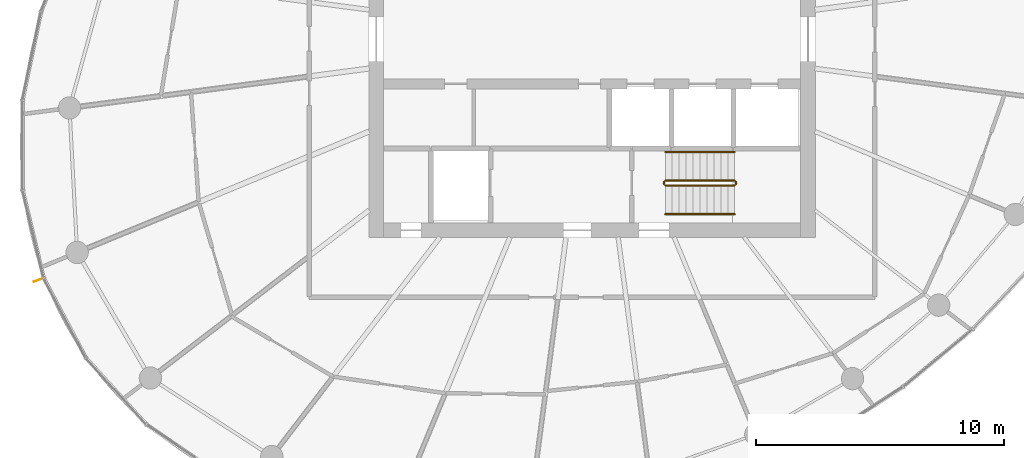
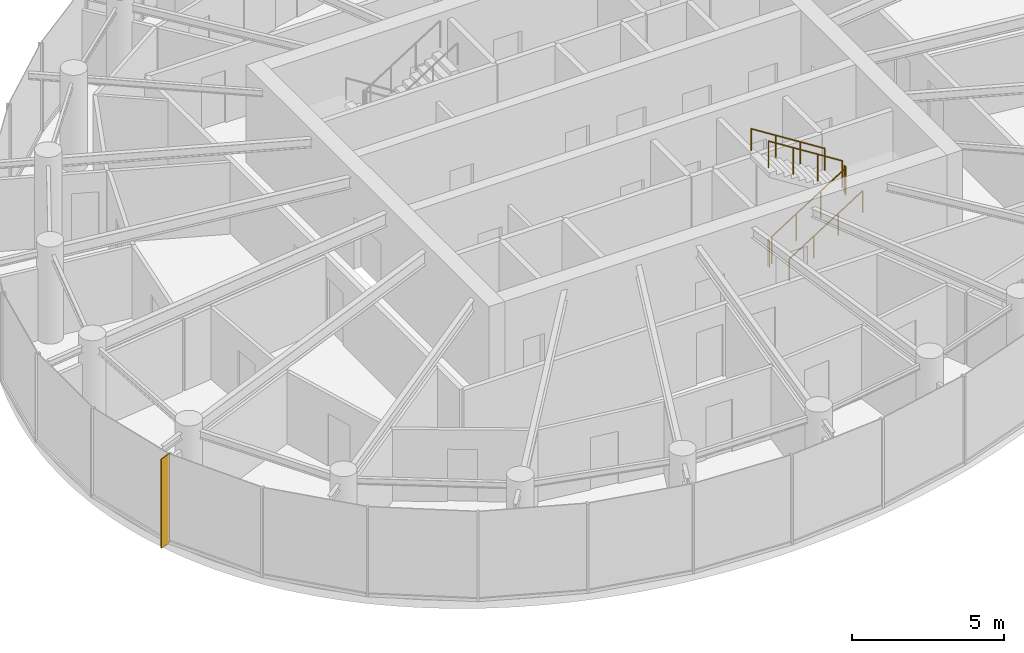
# One storey, part 12 of 13: 6 railings, 1 shading device.
"""IFC4 building model written with IfcOpenShell, lengths in metres."""

from ifc_helpers import new_model, si_unit, direction, frame, origin, origin_2d, place, context, subcontext, project, spatial, rectangle, circle, extrude, source, transform, mapped, material, material_profile, profile_set, type_object, element, save


model = new_model("IFC4")

# Units and contexts
model_context = context("Model", 3, precision=1e-05, world=origin(), true_north=direction((0.0, 1.0)))
body_context = subcontext(model_context, "Body", "Model", "MODEL_VIEW")
ifc_project = project(units=[si_unit("LENGTHUNIT", "METRE"), si_unit("AREAUNIT", "SQUARE_METRE"), si_unit("VOLUMEUNIT", "CUBIC_METRE"), si_unit("PLANEANGLEUNIT", "RADIAN"), si_unit("MASSUNIT", "GRAM", prefix="KILO")], contexts=[model_context])

# Site, building, storey
site_placement = place(None, origin())
site = spatial("IfcSite", under=ifc_project, at=site_placement, CompositionType="ELEMENT")
building_placement = place(site_placement, origin())
building = spatial("IfcBuilding", under=site, at=building_placement, Name="Spindrift Exchange Tower", CompositionType="ELEMENT")
storey_placement = place(building_placement, frame((0.0, 0.0, 222.800048828125)))
storey = spatial("IfcBuildingStorey", under=building, at=storey_placement, Name="L54", CompositionType="ELEMENT", Elevation=222.800048828125)

# Railings
ifc_material_1 = material(Name="Steel balustrade", Category="steel")
railing_type_1 = type_object("IfcRailingType", Name="RL-STAIR-GUARD", PredefinedType="GUARDRAIL", material=ifc_material_1)
railing_1_placement = place(storey_placement, frame((54.949951171875, 42.10009765625, 0.17724609375)))
element("IfcRailing", 1, at=railing_1_placement, inside=storey, type_object=railing_type_1, Name="L54 ST2 stair guard 1", PredefinedType="GUARDRAIL", context=body_context, shape_type="SweptSolid", body=[
    extrude(circle(Radius=0.02392578125, at=origin_2d()), frame((0.0, 0.0, 1.076171875), z_axis=(0.844908973607, 0.0, 0.534910110503), x_axis=(0.0, 1.0, 0.0)), (0.0, 0.0, 1.0), 3.31396484375),
    extrude(circle(Radius=0.02099609375, at=origin_2d()), origin(), (0.0, 0.0, 1.0), 1.052001953125),
    extrude(circle(Radius=0.02099609375, at=origin_2d()), frame((0.933349609375, 0.0, 0.5908203125)), (0.0, 0.0, 1.0), 1.052001953125),
    extrude(circle(Radius=0.02099609375, at=origin_2d()), frame((1.86669921875, 0.0, 1.181884765625)), (0.0, 0.0, 1.0), 1.052001953125),
    extrude(circle(Radius=0.02099609375, at=origin_2d()), frame((2.800048828125, 0.0, 1.772705078125)), (0.0, 0.0, 1.0), 1.052001953125),
])
railing_2_placement = place(storey_placement, frame((57.800048828125, 42.14990234375, 1.949951171875)))
element("IfcRailing", 2, at=railing_2_placement, inside=storey, type_object=railing_type_1, Name="L54 ST2 stair guard 2", PredefinedType="GUARDRAIL", context=body_context, shape_type="SweptSolid", body=[
    extrude(circle(Radius=0.02392578125, at=origin_2d()), frame((0.0, 0.0, 1.076171875), z_axis=(0.0, 1.0, 0.0), x_axis=(-1.0, 0.0, 0.0)), (0.0, 0.0, 1.0), 0.10009765625),
    extrude(circle(Radius=0.02099609375, at=origin_2d()), origin(), (0.0, 0.0, 1.0), 1.052001953125),
    extrude(circle(Radius=0.02099609375, at=origin_2d()), frame((0.0, 0.10009765625, 0.0)), (0.0, 0.0, 1.0), 1.052001953125),
])
railing_3_placement = place(storey_placement, frame((57.75, 42.300048828125, 2.127197265625)))
element("IfcRailing", 3, at=railing_3_placement, inside=storey, type_object=railing_type_1, Name="L54 ST2 stair guard 3", PredefinedType="GUARDRAIL", context=body_context, shape_type="SweptSolid", body=[
    extrude(circle(Radius=0.02392578125, at=origin_2d()), frame((0.0, 0.0, 1.076171875), z_axis=(-0.844908973607, 0.0, 0.534910110503), x_axis=(0.0, -1.0, 0.0)), (0.0, 0.0, 1.0), 3.31396484375),
    extrude(circle(Radius=0.02099609375, at=origin_2d()), origin(), (0.0, 0.0, 1.0), 1.052001953125),
    extrude(circle(Radius=0.02099609375, at=origin_2d()), frame((-0.933349609375, 0.0, 0.5908203125)), (0.0, 0.0, 1.0), 1.052001953125),
    extrude(circle(Radius=0.02099609375, at=origin_2d()), frame((-1.86669921875, 0.0, 1.181884765625)), (0.0, 0.0, 1.0), 1.052001953125),
    extrude(circle(Radius=0.02099609375, at=origin_2d()), frame((-2.800048828125, 0.0, 1.772705078125)), (0.0, 0.0, 1.0), 1.052001953125),
])
railing_4_placement = place(storey_placement, frame((54.89990234375, 42.14990234375, 0.0)))
element("IfcRailing", 4, at=railing_4_placement, inside=storey, type_object=railing_type_1, Name="L54 ST2 stair guard 4", PredefinedType="GUARDRAIL", context=body_context, shape_type="SweptSolid", body=[
    extrude(circle(Radius=0.02392578125, at=origin_2d()), frame((0.0, 0.0, 1.076171875), z_axis=(0.0, 1.0, 0.0), x_axis=(-1.0, 0.0, 0.0)), (0.0, 0.0, 1.0), 0.10009765625),
    extrude(circle(Radius=0.02099609375, at=origin_2d()), origin(), (0.0, 0.0, 1.0), 1.052001953125),
    extrude(circle(Radius=0.02099609375, at=origin_2d()), frame((0.0, 0.10009765625, 0.0)), (0.0, 0.0, 1.0), 1.052001953125),
])
ifc_material_2 = material(Name="Steel tubular handrail", Category="steel")
railing_type_2 = type_object("IfcRailingType", Name="RL-STAIR-HAND", PredefinedType="HANDRAIL", material=ifc_material_2)
railing_5_placement = place(storey_placement, frame((54.949951171875, 40.949951171875, 0.17724609375)))
element("IfcRailing", 5, at=railing_5_placement, inside=storey, type_object=railing_type_2, Name="L54 ST2 stair handrail 1", PredefinedType="HANDRAIL", context=body_context, shape_type="SweptSolid", body=[
    extrude(circle(Radius=0.02392578125, at=origin_2d()), frame((0.0, 0.0, 0.8759765625), z_axis=(0.844908973607, 0.0, 0.534910110503), x_axis=(0.0, 1.0, 0.0)), (0.0, 0.0, 1.0), 3.31396484375),
    extrude(circle(Radius=0.02099609375, at=origin_2d()), origin(), (0.0, 0.0, 1.0), 0.851806640625),
    extrude(circle(Radius=0.02099609375, at=origin_2d()), frame((0.933349609375, 0.0, 0.5908203125)), (0.0, 0.0, 1.0), 0.851806640625),
    extrude(circle(Radius=0.02099609375, at=origin_2d()), frame((1.86669921875, 0.0, 1.181884765625)), (0.0, 0.0, 1.0), 0.851806640625),
    extrude(circle(Radius=0.02099609375, at=origin_2d()), frame((2.800048828125, 0.0, 1.772705078125)), (0.0, 0.0, 1.0), 0.851806640625),
])
railing_6_placement = place(storey_placement, frame((57.75, 43.449951171875, 2.127197265625)))
element("IfcRailing", 6, at=railing_6_placement, inside=storey, type_object=railing_type_2, Name="L54 ST2 stair handrail 2", PredefinedType="HANDRAIL", context=body_context, shape_type="SweptSolid", body=[
    extrude(circle(Radius=0.02392578125, at=origin_2d()), frame((0.0, 0.0, 0.8759765625), z_axis=(-0.844908973607, 0.0, 0.534910110503), x_axis=(0.0, -1.0, 0.0)), (0.0, 0.0, 1.0), 3.31396484375),
    extrude(circle(Radius=0.02099609375, at=origin_2d()), origin(), (0.0, 0.0, 1.0), 0.851806640625),
    extrude(circle(Radius=0.02099609375, at=origin_2d()), frame((-0.933349609375, 0.0, 0.5908203125)), (0.0, 0.0, 1.0), 0.851806640625),
    extrude(circle(Radius=0.02099609375, at=origin_2d()), frame((-1.86669921875, 0.0, 1.181884765625)), (0.0, 0.0, 1.0), 0.851806640625),
    extrude(circle(Radius=0.02099609375, at=origin_2d()), frame((-2.800048828125, 0.0, 1.772705078125)), (0.0, 0.0, 1.0), 0.851806640625),
])

# Shading device
ifc_material_3 = material(Name="Bronze anodised aluminium", Category="aluminium")
ifc_material_profile = material_profile(ifc_material_3, rectangle(XDim=0.030029296875, YDim=0.449951171875, at=origin_2d()), Name="WIND FIN 30X450")
ifc_profile_set = profile_set([ifc_material_profile], Name="Bronze anodised aluminium")
shading_device_type = type_object("IfcShadingDeviceType", Name="WIND FIN 30X450", PredefinedType="USERDEFINED", material=ifc_profile_set)
shared_shape = source(origin(), body_context, "Body", "SweptSolid", [
    extrude(rectangle(XDim=0.030029296875, YDim=0.449951171875, at=origin_2d()), origin(), (0.0, 0.0, 1.0), 3.579833984375),
])
shading_device_placement = place(storey_placement, frame((29.711181640625, 38.30029296875, 0.0), z_axis=(0.0, 0.0, 1.0), x_axis=(0.353065012759, -0.93559879049, 0.0)))
element("IfcShadingDevice", 7, at=shading_device_placement, inside=storey, type_object=shading_device_type, Name="L54 wind fin 1", ObjectType="FIN", PredefinedType="USERDEFINED", context=body_context, shape_type="MappedRepresentation", body=[
    mapped(shared_shape, transform((0.0, 0.0, 0.0), scale=1.0)),
])

save(model, "model.ifc")
